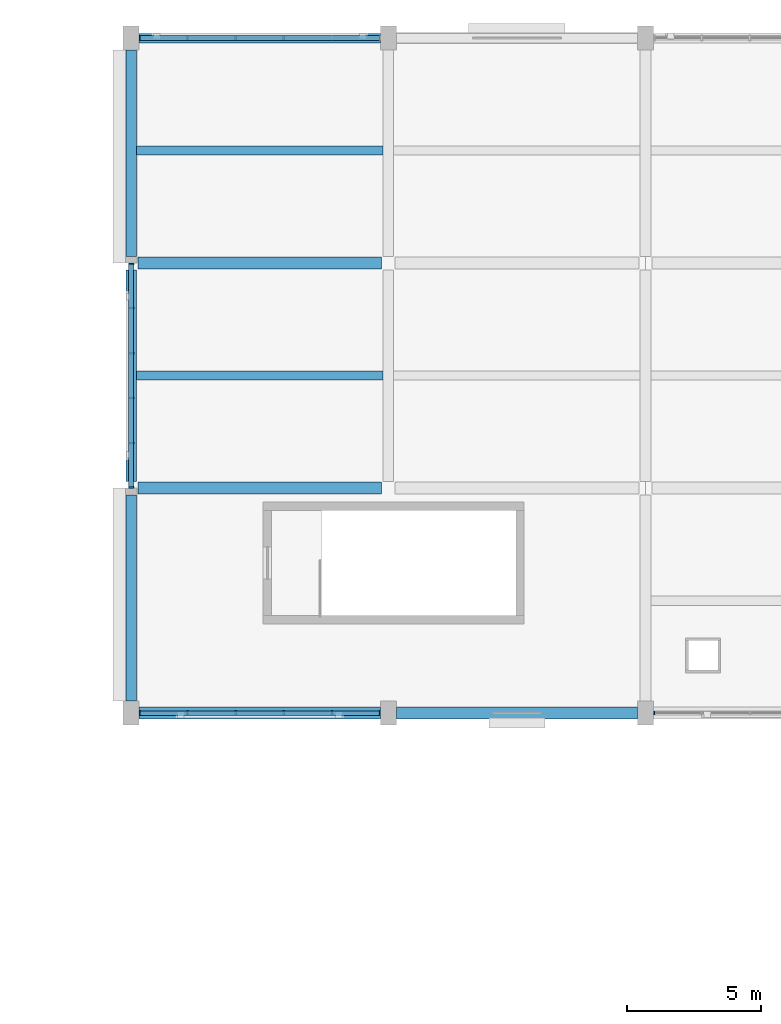
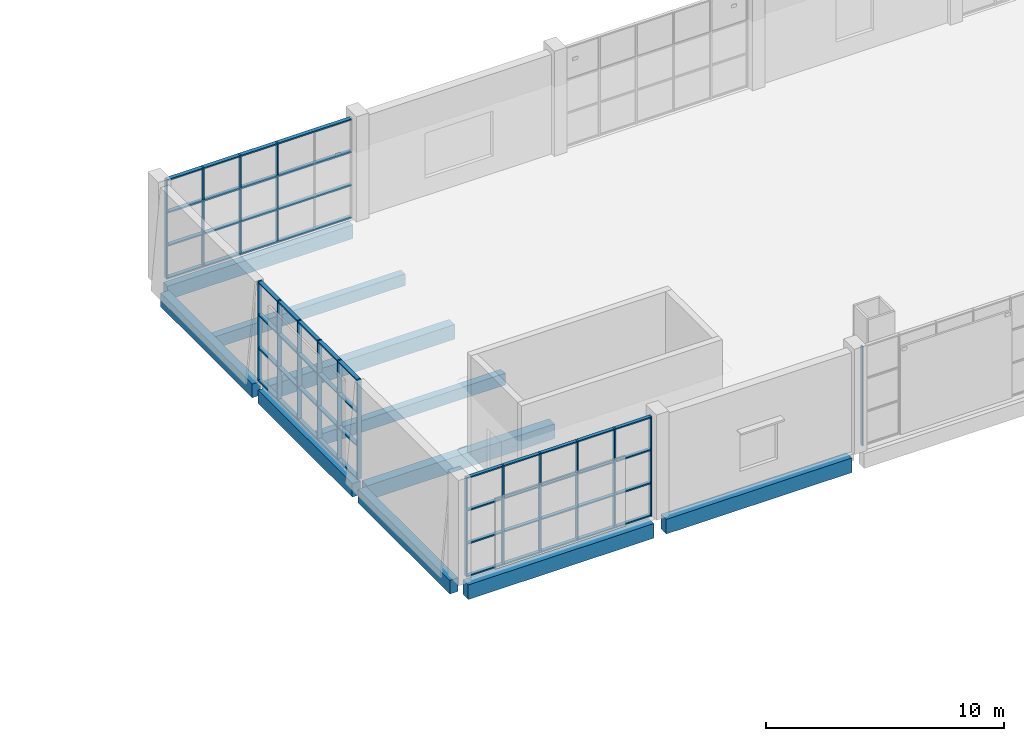
# One storey, part 16 of 57: 29 members, 10 beams, 4 elements without a shape of their own.
"""IFC4 building model written with IfcOpenShell, lengths in metres."""

from ifc_helpers import new_model, si_unit, direction, frame, origin, origin_2d, place, context, subcontext, project, spatial, rectangle, extrude, material, material_profile, profile_set, type_object, element, aggregate, save


model = new_model("IFC4")

# Units and contexts
model_context = context("Model", 3, precision=1e-05, world=origin(), true_north=direction((0.0, 1.0)))
body_context = subcontext(model_context, "Body", "Model", "MODEL_VIEW")
ifc_project = project(units=[si_unit("LENGTHUNIT", "METRE"), si_unit("AREAUNIT", "SQUARE_METRE"), si_unit("VOLUMEUNIT", "CUBIC_METRE"), si_unit("PLANEANGLEUNIT", "RADIAN"), si_unit("MASSUNIT", "GRAM", prefix="KILO")], contexts=[model_context])

# Site, building, storey
site_placement = place(None, origin())
site = spatial("IfcSite", under=ifc_project, at=site_placement, CompositionType="ELEMENT")
building_placement = place(site_placement, origin())
building = spatial("IfcBuilding", under=site, at=building_placement, Name="Shalvenor Court Art Gallery", CompositionType="ELEMENT")
storey_placement = place(building_placement, frame((0.0, 0.0, 16.800048828125)))
storey = spatial("IfcBuildingStorey", under=building, at=storey_placement, Name="L03", CompositionType="ELEMENT", Elevation=16.800048828125)

# Beams
ifc_material_1 = material(Name="Concrete C40/50", Category="concrete")
ifc_material_profile_1 = material_profile(ifc_material_1, rectangle(XDim=0.449951171875, YDim=0.75, at=origin_2d()), Name="RC 450x750")
ifc_profile_set_1 = profile_set([ifc_material_profile_1], Name="Concrete C40/50")
beam_type_1 = type_object("IfcBeamType", Name="B-04", PredefinedType="BEAM", material=ifc_profile_set_1)
for number, where, z_axis, x_axis, name in (
    (1, (57.89990234375, 97.199951171875, -0.675048828125), (1.0, 0.0, 0.0), (0.0, 1.0, 0.0), "L03 Girder BM-L03-B-04-1093"),
    (2, (67.5, 97.199951171875, -0.675048828125), (1.0, 0.0, 0.0), (0.0, 1.0, 0.0), "L03 Girder BM-L03-B-04-1094"),
):
    element("IfcBeam", number, at=place(storey_placement, frame(where, z_axis=z_axis, x_axis=x_axis)), inside=storey, type_object=beam_type_1, Name=name, PredefinedType="BEAM", context=body_context, shape_type="SweptSolid", body=[
        extrude(rectangle(XDim=0.449951171875, YDim=0.75, at=origin_2d()), origin(), (0.0, 0.0, 1.0), 9.0),
    ])
for number, where, z_axis, x_axis, name in (
    (3, (57.85009765625, 105.60009765625, -0.675048828125), (1.0, 0.0, 0.0), (0.0, 1.0, 0.0), "L03 Girder BM-L03-B-04-1107"),
    (4, (57.85009765625, 114.0, -0.675048828125), (1.0, 0.0, 0.0), (0.0, 1.0, 0.0), "L03 Girder BM-L03-B-04-1113"),
):
    element("IfcBeam", number, at=place(storey_placement, frame(where, z_axis=z_axis, x_axis=x_axis)), inside=storey, type_object=beam_type_1, Name=name, PredefinedType="BEAM", context=body_context, shape_type="SweptSolid", body=[
        extrude(rectangle(XDim=0.449951171875, YDim=0.75, at=origin_2d()), origin(), (0.0, 0.0, 1.0), 9.099853515625),
    ])
ifc_material_2 = material(Name="Concrete C40/50", Category="concrete")
ifc_material_profile_2 = material_profile(ifc_material_2, rectangle(XDim=0.39990234375, YDim=0.699951171875, at=origin_2d()), Name="RC 400x700")
ifc_profile_set_2 = profile_set([ifc_material_profile_2], Name="Concrete C40/50")
beam_type_2 = type_object("IfcBeamType", Name="B-05", PredefinedType="BEAM", material=ifc_profile_set_2)
beam_1_placement = place(storey_placement, frame((57.60009765625, 97.64990234375, -0.650146484375), z_axis=(0.0, 1.0, 0.0), x_axis=(-1.0, 0.0, 0.0)))
element("IfcBeam", 5, at=beam_1_placement, inside=storey, type_object=beam_type_2, Name="L03 Girder BM-L03-B-05-0978", PredefinedType="BEAM", context=body_context, shape_type="SweptSolid", body=[
    extrude(rectangle(XDim=0.39990234375, YDim=0.699951171875, at=origin_2d()), origin(), (0.0, 0.0, 1.0), 7.7001953125),
])
beam_2_placement = place(storey_placement, frame((57.60009765625, 105.85009765625, -0.650146484375), z_axis=(0.0, 1.0, 0.0), x_axis=(-1.0, 0.0, 0.0)))
element("IfcBeam", 6, at=beam_2_placement, inside=storey, type_object=beam_type_2, Name="L03 Girder BM-L03-B-05-0979", PredefinedType="BEAM", context=body_context, shape_type="SweptSolid", body=[
    extrude(rectangle(XDim=0.39990234375, YDim=0.699951171875, at=origin_2d()), origin(), (0.0, 0.0, 1.0), 7.89990234375),
])
beam_3_placement = place(storey_placement, frame((57.60009765625, 114.25, -0.650146484375), z_axis=(0.0, 1.0, 0.0), x_axis=(-1.0, 0.0, 0.0)))
element("IfcBeam", 7, at=beam_3_placement, inside=storey, type_object=beam_type_2, Name="L03 Girder BM-L03-B-05-0980", PredefinedType="BEAM", context=body_context, shape_type="SweptSolid", body=[
    extrude(rectangle(XDim=0.39990234375, YDim=0.699951171875, at=origin_2d()), origin(), (0.0, 0.0, 1.0), 7.699951171875),
])

# Curtain wall, members
ifc_material_3 = material(Name="Anodised aluminium and low-iron glass curtain wall", Category="aluminium")
curtain_wall_type_1 = type_object("IfcCurtainWallType", Name="CW-5x3-90-51-142", PredefinedType="USERDEFINED", material=ifc_material_3)
curtain_wall_1_placement = place(storey_placement, origin())
curtain_wall_1 = element("IfcCurtainWall", 8, at=curtain_wall_1_placement, inside=storey, type_object=curtain_wall_type_1, Name="L03 V2 Curtain Wall CW-L03-080", ObjectType="CURTAIN WALL", PredefinedType="USERDEFINED")
ifc_material_4 = material(Name="Anodised aluminium mullion", Category="aluminium")
ifc_material_profile_3 = material_profile(ifc_material_4, rectangle(XDim=0.06494140625, YDim=0.179931640625, at=origin_2d()), Name="CWM-01")
ifc_profile_set_3 = profile_set([ifc_material_profile_3], Name="Anodised aluminium mullion")
member_type_1 = type_object("IfcMemberType", Name="CWM-01", PredefinedType="MULLION", material=ifc_profile_set_3)
member_1_placement = place(storey_placement, frame((57.9326171875, 122.39990234375, 0.0), z_axis=(0.0, 0.0, 1.0), x_axis=(1.0, 0.0, 0.0)))
member_1 = element("IfcMember", 9, at=member_1_placement, type_object=member_type_1, Name="CW-5x3-90-51-142 mullion 1", PredefinedType="MULLION", context=body_context, shape_type="SweptSolid", body=[
    extrude(rectangle(XDim=0.06494140625, YDim=0.179931640625, at=origin_2d()), origin(), (0.0, 0.0, 1.0), 5.099853515625),
])
member_2_placement = place(storey_placement, frame((59.699951171875, 122.39990234375, 0.0), z_axis=(0.0, 0.0, 1.0), x_axis=(1.0, 0.0, 0.0)))
member_2 = element("IfcMember", 10, at=member_2_placement, type_object=member_type_1, Name="CW-5x3-90-51-142 mullion 2", PredefinedType="MULLION", context=body_context, shape_type="SweptSolid", body=[
    extrude(rectangle(XDim=0.06494140625, YDim=0.179931640625, at=origin_2d()), origin(), (0.0, 0.0, 1.0), 5.099853515625),
])
member_3_placement = place(storey_placement, frame((61.5, 122.39990234375, 0.0), z_axis=(0.0, 0.0, 1.0), x_axis=(1.0, 0.0, 0.0)))
member_3 = element("IfcMember", 11, at=member_3_placement, type_object=member_type_1, Name="CW-5x3-90-51-142 mullion 3", PredefinedType="MULLION", context=body_context, shape_type="SweptSolid", body=[
    extrude(rectangle(XDim=0.06494140625, YDim=0.179931640625, at=origin_2d()), origin(), (0.0, 0.0, 1.0), 5.099853515625),
])
member_4_placement = place(storey_placement, frame((63.300048828125, 122.39990234375, 0.0), z_axis=(0.0, 0.0, 1.0), x_axis=(1.0, 0.0, 0.0)))
member_4 = element("IfcMember", 12, at=member_4_placement, type_object=member_type_1, Name="CW-5x3-90-51-142 mullion 4", PredefinedType="MULLION", context=body_context, shape_type="SweptSolid", body=[
    extrude(rectangle(XDim=0.06494140625, YDim=0.179931640625, at=origin_2d()), origin(), (0.0, 0.0, 1.0), 5.099853515625),
])

ifc_material_5 = material(Name="Anodised aluminium and low-iron glass curtain wall", Category="aluminium")
curtain_wall_type_2 = type_object("IfcCurtainWallType", Name="CW-5x3-90-51-122", PredefinedType="USERDEFINED", material=ifc_material_5)
curtain_wall_2_placement = place(storey_placement, origin())
curtain_wall_2 = element("IfcCurtainWall", 13, at=curtain_wall_2_placement, inside=storey, type_object=curtain_wall_type_2, Name="L03 V2 Curtain Wall CW-L03-088", ObjectType="CURTAIN WALL", PredefinedType="USERDEFINED")
member_5_placement = place(storey_placement, frame((66.867431640625, 97.199951171875, 0.0), z_axis=(0.0, 0.0, 1.0), x_axis=(-1.0, 0.0, 0.0)))
member_5 = element("IfcMember", 14, at=member_5_placement, type_object=member_type_1, Name="CW-5x3-90-51-122 mullion 1", PredefinedType="MULLION", context=body_context, shape_type="SweptSolid", body=[
    extrude(rectangle(XDim=0.06494140625, YDim=0.179931640625, at=origin_2d()), origin(), (0.0, 0.0, 1.0), 5.099853515625),
])
member_6_placement = place(storey_placement, frame((65.10009765625, 97.199951171875, 0.0), z_axis=(0.0, 0.0, 1.0), x_axis=(-1.0, 0.0, 0.0)))
member_6 = element("IfcMember", 15, at=member_6_placement, type_object=member_type_1, Name="CW-5x3-90-51-122 mullion 2", PredefinedType="MULLION", context=body_context, shape_type="SweptSolid", body=[
    extrude(rectangle(XDim=0.06494140625, YDim=0.179931640625, at=origin_2d()), origin(), (0.0, 0.0, 1.0), 5.099853515625),
])
member_7_placement = place(storey_placement, frame((63.300048828125, 97.199951171875, 0.0), z_axis=(0.0, 0.0, 1.0), x_axis=(-1.0, 0.0, 0.0)))
member_7 = element("IfcMember", 16, at=member_7_placement, type_object=member_type_1, Name="CW-5x3-90-51-122 mullion 3", PredefinedType="MULLION", context=body_context, shape_type="SweptSolid", body=[
    extrude(rectangle(XDim=0.06494140625, YDim=0.179931640625, at=origin_2d()), origin(), (0.0, 0.0, 1.0), 5.099853515625),
])
member_8_placement = place(storey_placement, frame((61.5, 97.199951171875, 0.0), z_axis=(0.0, 0.0, 1.0), x_axis=(-1.0, 0.0, 0.0)))
member_8 = element("IfcMember", 17, at=member_8_placement, type_object=member_type_1, Name="CW-5x3-90-51-122 mullion 4", PredefinedType="MULLION", context=body_context, shape_type="SweptSolid", body=[
    extrude(rectangle(XDim=0.06494140625, YDim=0.179931640625, at=origin_2d()), origin(), (0.0, 0.0, 1.0), 5.099853515625),
])
member_9_placement = place(storey_placement, frame((59.699951171875, 97.199951171875, 0.0), z_axis=(0.0, 0.0, 1.0), x_axis=(-1.0, 0.0, 0.0)))
member_9 = element("IfcMember", 18, at=member_9_placement, type_object=member_type_1, Name="CW-5x3-90-51-122 mullion 5", PredefinedType="MULLION", context=body_context, shape_type="SweptSolid", body=[
    extrude(rectangle(XDim=0.06494140625, YDim=0.179931640625, at=origin_2d()), origin(), (0.0, 0.0, 1.0), 5.099853515625),
])
member_10_placement = place(storey_placement, frame((57.9326171875, 97.199951171875, 0.0), z_axis=(0.0, 0.0, 1.0), x_axis=(-1.0, 0.0, 0.0)))
member_10 = element("IfcMember", 19, at=member_10_placement, type_object=member_type_1, Name="CW-5x3-90-51-122 mullion 6", PredefinedType="MULLION", context=body_context, shape_type="SweptSolid", body=[
    extrude(rectangle(XDim=0.06494140625, YDim=0.179931640625, at=origin_2d()), origin(), (0.0, 0.0, 1.0), 5.099853515625),
])

ifc_material_6 = material(Name="Anodised aluminium and low-iron glass curtain wall", Category="aluminium")
curtain_wall_type_3 = type_object("IfcCurtainWallType", Name="CW-5x3-84-51-242", PredefinedType="USERDEFINED", material=ifc_material_6)
curtain_wall_3_placement = place(storey_placement, origin())
curtain_wall_3 = element("IfcCurtainWall", 20, at=curtain_wall_3_placement, inside=storey, type_object=curtain_wall_type_3, Name="L03 V2 Curtain Wall CW-L03-089", ObjectType="CURTAIN WALL", PredefinedType="USERDEFINED")
ifc_material_7 = material(Name="Anodised aluminium mullion", Category="aluminium")
ifc_material_profile_4 = material_profile(ifc_material_7, rectangle(XDim=0.070068359375, YDim=0.199951171875, at=origin_2d()), Name="CWM-02")
ifc_profile_set_4 = profile_set([ifc_material_profile_4], Name="Anodised aluminium mullion")
member_type_2 = type_object("IfcMemberType", Name="CWM-02", PredefinedType="MULLION", material=ifc_profile_set_4)
member_11_placement = place(storey_placement, frame((57.60009765625, 105.635009765625, 0.0), z_axis=(0.0, 0.0, 1.0), x_axis=(0.0, 1.0, 0.0)))
member_11 = element("IfcMember", 21, at=member_11_placement, type_object=member_type_2, Name="CW-5x3-84-51-242 mullion 1", PredefinedType="MULLION", context=body_context, shape_type="SweptSolid", body=[
    extrude(rectangle(XDim=0.070068359375, YDim=0.199951171875, at=origin_2d()), origin(), (0.0, 0.0, 1.0), 5.099853515625),
])
member_12_placement = place(storey_placement, frame((57.60009765625, 107.280029296875, 0.0), z_axis=(0.0, 0.0, 1.0), x_axis=(0.0, 1.0, 0.0)))
member_12 = element("IfcMember", 22, at=member_12_placement, type_object=member_type_2, Name="CW-5x3-84-51-242 mullion 2", PredefinedType="MULLION", context=body_context, shape_type="SweptSolid", body=[
    extrude(rectangle(XDim=0.070068359375, YDim=0.199951171875, at=origin_2d()), origin(), (0.0, 0.0, 1.0), 5.099853515625),
])
member_13_placement = place(storey_placement, frame((57.60009765625, 108.9599609375, 0.0), z_axis=(0.0, 0.0, 1.0), x_axis=(0.0, 1.0, 0.0)))
member_13 = element("IfcMember", 23, at=member_13_placement, type_object=member_type_2, Name="CW-5x3-84-51-242 mullion 3", PredefinedType="MULLION", context=body_context, shape_type="SweptSolid", body=[
    extrude(rectangle(XDim=0.070068359375, YDim=0.199951171875, at=origin_2d()), origin(), (0.0, 0.0, 1.0), 5.099853515625),
])
member_14_placement = place(storey_placement, frame((57.60009765625, 110.639892578125, 0.0), z_axis=(0.0, 0.0, 1.0), x_axis=(0.0, 1.0, 0.0)))
member_14 = element("IfcMember", 24, at=member_14_placement, type_object=member_type_2, Name="CW-5x3-84-51-242 mullion 4", PredefinedType="MULLION", context=body_context, shape_type="SweptSolid", body=[
    extrude(rectangle(XDim=0.070068359375, YDim=0.199951171875, at=origin_2d()), origin(), (0.0, 0.0, 1.0), 5.099853515625),
])
member_15_placement = place(storey_placement, frame((57.60009765625, 112.320068359375, 0.0), z_axis=(0.0, 0.0, 1.0), x_axis=(0.0, 1.0, 0.0)))
member_15 = element("IfcMember", 25, at=member_15_placement, type_object=member_type_2, Name="CW-5x3-84-51-242 mullion 5", PredefinedType="MULLION", context=body_context, shape_type="SweptSolid", body=[
    extrude(rectangle(XDim=0.070068359375, YDim=0.199951171875, at=origin_2d()), origin(), (0.0, 0.0, 1.0), 5.099853515625),
])
member_16_placement = place(storey_placement, frame((57.60009765625, 113.965087890625, 0.0), z_axis=(0.0, 0.0, 1.0), x_axis=(0.0, 1.0, 0.0)))
member_16 = element("IfcMember", 26, at=member_16_placement, type_object=member_type_2, Name="CW-5x3-84-51-242 mullion 6", PredefinedType="MULLION", context=body_context, shape_type="SweptSolid", body=[
    extrude(rectangle(XDim=0.070068359375, YDim=0.199951171875, at=origin_2d()), origin(), (0.0, 0.0, 1.0), 5.099853515625),
])

# Curtain wall, member
ifc_material_8 = material(Name="Anodised aluminium and low-iron glass curtain wall", Category="aluminium")
curtain_wall_type_4 = type_object("IfcCurtainWallType", Name="CW-5x3-90-51-612", PredefinedType="USERDEFINED", material=ifc_material_8)
curtain_wall_4_placement = place(storey_placement, origin())
curtain_wall_4 = element("IfcCurtainWall", 27, at=curtain_wall_4_placement, inside=storey, type_object=curtain_wall_type_4, Name="L03 V2 Curtain Wall CW-L03-087", ObjectType="CURTAIN WALL", PredefinedType="USERDEFINED")
ifc_material_9 = material(Name="Anodised aluminium mullion", Category="aluminium")
ifc_material_profile_5 = material_profile(ifc_material_9, rectangle(XDim=0.054931640625, YDim=0.139892578125, at=origin_2d()), Name="CWM-06")
ifc_profile_set_5 = profile_set([ifc_material_profile_5], Name="Anodised aluminium mullion")
member_type_3 = type_object("IfcMemberType", Name="CWM-06", PredefinedType="MULLION", material=ifc_profile_set_5)
member_17_placement = place(storey_placement, frame((77.12744140625, 97.199951171875, 0.0), z_axis=(0.0, 0.0, 1.0), x_axis=(-1.0, 0.0, 0.0)))
member_17 = element("IfcMember", 28, at=member_17_placement, type_object=member_type_3, Name="CW-5x3-90-51-612 mullion 6", PredefinedType="MULLION", context=body_context, shape_type="SweptSolid", body=[
    extrude(rectangle(XDim=0.054931640625, YDim=0.139892578125, at=origin_2d()), origin(), (0.0, 0.0, 1.0), 5.099853515625),
])
aggregate(curtain_wall_4, [member_17])

# Member
ifc_material_10 = material(Name="Anodised aluminium transom", Category="aluminium")
ifc_material_profile_6 = material_profile(ifc_material_10, rectangle(XDim=0.169921875, YDim=0.06494140625, at=origin_2d()), Name="CWT-02")
ifc_profile_set_6 = profile_set([ifc_material_profile_6], Name="Anodised aluminium transom")
member_type_4 = type_object("IfcMemberType", Name="CWT-02", PredefinedType="USERDEFINED", material=ifc_profile_set_6)
member_18_placement = place(storey_placement, frame((66.867431640625, 97.199951171875, 0.032470703125), z_axis=(-1.0, 0.0, 0.0), x_axis=(0.0, -1.0, 0.0)))
member_18 = element("IfcMember", 29, at=member_18_placement, type_object=member_type_4, Name="CW-5x3-90-51-122 transom 1", ObjectType="TRANSOM", PredefinedType="USERDEFINED", context=body_context, shape_type="SweptSolid", body=[
    extrude(rectangle(XDim=0.169921875, YDim=0.06494140625, at=origin_2d()), origin(), (0.0, 0.0, 1.0), 8.934814453125),
])

member_19_placement = place(storey_placement, frame((66.867431640625, 97.199951171875, 1.699951171875), z_axis=(-1.0, 0.0, 0.0), x_axis=(0.0, -1.0, 0.0)))
member_19 = element("IfcMember", 30, at=member_19_placement, type_object=member_type_4, Name="CW-5x3-90-51-122 transom 2", ObjectType="TRANSOM", PredefinedType="USERDEFINED", context=body_context, shape_type="SweptSolid", body=[
    extrude(rectangle(XDim=0.169921875, YDim=0.06494140625, at=origin_2d()), origin(), (0.0, 0.0, 1.0), 8.934814453125),
])

member_20_placement = place(storey_placement, frame((66.867431640625, 97.199951171875, 3.39990234375), z_axis=(-1.0, 0.0, 0.0), x_axis=(0.0, -1.0, 0.0)))
member_20 = element("IfcMember", 31, at=member_20_placement, type_object=member_type_4, Name="CW-5x3-90-51-122 transom 3", ObjectType="TRANSOM", PredefinedType="USERDEFINED", context=body_context, shape_type="SweptSolid", body=[
    extrude(rectangle(XDim=0.169921875, YDim=0.06494140625, at=origin_2d()), origin(), (0.0, 0.0, 1.0), 8.934814453125),
])

member_21_placement = place(storey_placement, frame((66.867431640625, 97.199951171875, 5.0673828125), z_axis=(-1.0, 0.0, 0.0), x_axis=(0.0, -1.0, 0.0)))
member_21 = element("IfcMember", 32, at=member_21_placement, type_object=member_type_4, Name="CW-5x3-90-51-122 transom 4", ObjectType="TRANSOM", PredefinedType="USERDEFINED", context=body_context, shape_type="SweptSolid", body=[
    extrude(rectangle(XDim=0.169921875, YDim=0.06494140625, at=origin_2d()), origin(), (0.0, 0.0, 1.0), 8.934814453125),
])

aggregate(curtain_wall_2, [member_5, member_6, member_7, member_8, member_9, member_10, member_18, member_19, member_20, member_21])

ifc_material_11 = material(Name="Anodised aluminium transom", Category="aluminium")
ifc_material_profile_7 = material_profile(ifc_material_11, rectangle(XDim=0.18994140625, YDim=0.070068359375, at=origin_2d()), Name="CWT-04")
ifc_profile_set_7 = profile_set([ifc_material_profile_7], Name="Anodised aluminium transom")
member_type_5 = type_object("IfcMemberType", Name="CWT-04", PredefinedType="USERDEFINED", material=ifc_profile_set_7)
member_22_placement = place(storey_placement, frame((57.9326171875, 122.39990234375, 0.034912109375), z_axis=(1.0, 0.0, 0.0), x_axis=(0.0, 1.0, 0.0)))
member_22 = element("IfcMember", 33, at=member_22_placement, type_object=member_type_5, Name="CW-5x3-90-51-142 transom 1", ObjectType="TRANSOM", PredefinedType="USERDEFINED", context=body_context, shape_type="SweptSolid", body=[
    extrude(rectangle(XDim=0.18994140625, YDim=0.070068359375, at=origin_2d()), origin(), (0.0, 0.0, 1.0), 8.934814453125),
])

member_23_placement = place(storey_placement, frame((57.9326171875, 122.39990234375, 1.699951171875), z_axis=(1.0, 0.0, 0.0), x_axis=(0.0, 1.0, 0.0)))
member_23 = element("IfcMember", 34, at=member_23_placement, type_object=member_type_5, Name="CW-5x3-90-51-142 transom 2", ObjectType="TRANSOM", PredefinedType="USERDEFINED", context=body_context, shape_type="SweptSolid", body=[
    extrude(rectangle(XDim=0.18994140625, YDim=0.070068359375, at=origin_2d()), origin(), (0.0, 0.0, 1.0), 8.934814453125),
])

member_24_placement = place(storey_placement, frame((57.9326171875, 122.39990234375, 3.39990234375), z_axis=(1.0, 0.0, 0.0), x_axis=(0.0, 1.0, 0.0)))
member_24 = element("IfcMember", 35, at=member_24_placement, type_object=member_type_5, Name="CW-5x3-90-51-142 transom 3", ObjectType="TRANSOM", PredefinedType="USERDEFINED", context=body_context, shape_type="SweptSolid", body=[
    extrude(rectangle(XDim=0.18994140625, YDim=0.070068359375, at=origin_2d()), origin(), (0.0, 0.0, 1.0), 8.934814453125),
])

member_25_placement = place(storey_placement, frame((57.9326171875, 122.39990234375, 5.06494140625), z_axis=(1.0, 0.0, 0.0), x_axis=(0.0, 1.0, 0.0)))
member_25 = element("IfcMember", 36, at=member_25_placement, type_object=member_type_5, Name="CW-5x3-90-51-142 transom 4", ObjectType="TRANSOM", PredefinedType="USERDEFINED", context=body_context, shape_type="SweptSolid", body=[
    extrude(rectangle(XDim=0.18994140625, YDim=0.070068359375, at=origin_2d()), origin(), (0.0, 0.0, 1.0), 8.934814453125),
])

aggregate(curtain_wall_1, [member_1, member_2, member_3, member_4, member_22, member_23, member_24, member_25])

member_26_placement = place(storey_placement, frame((57.60009765625, 105.635009765625, 0.034912109375), z_axis=(0.0, 1.0, 0.0), x_axis=(-1.0, 0.0, 0.0)))
member_26 = element("IfcMember", 37, at=member_26_placement, type_object=member_type_5, Name="CW-5x3-84-51-242 transom 1", ObjectType="TRANSOM", PredefinedType="USERDEFINED", context=body_context, shape_type="SweptSolid", body=[
    extrude(rectangle(XDim=0.18994140625, YDim=0.070068359375, at=origin_2d()), origin(), (0.0, 0.0, 1.0), 8.330078125),
])

member_27_placement = place(storey_placement, frame((57.60009765625, 105.635009765625, 1.699951171875), z_axis=(0.0, 1.0, 0.0), x_axis=(-1.0, 0.0, 0.0)))
member_27 = element("IfcMember", 38, at=member_27_placement, type_object=member_type_5, Name="CW-5x3-84-51-242 transom 2", ObjectType="TRANSOM", PredefinedType="USERDEFINED", context=body_context, shape_type="SweptSolid", body=[
    extrude(rectangle(XDim=0.18994140625, YDim=0.070068359375, at=origin_2d()), origin(), (0.0, 0.0, 1.0), 8.330078125),
])

member_28_placement = place(storey_placement, frame((57.60009765625, 105.635009765625, 3.39990234375), z_axis=(0.0, 1.0, 0.0), x_axis=(-1.0, 0.0, 0.0)))
member_28 = element("IfcMember", 39, at=member_28_placement, type_object=member_type_5, Name="CW-5x3-84-51-242 transom 3", ObjectType="TRANSOM", PredefinedType="USERDEFINED", context=body_context, shape_type="SweptSolid", body=[
    extrude(rectangle(XDim=0.18994140625, YDim=0.070068359375, at=origin_2d()), origin(), (0.0, 0.0, 1.0), 8.330078125),
])

member_29_placement = place(storey_placement, frame((57.60009765625, 105.635009765625, 5.06494140625), z_axis=(0.0, 1.0, 0.0), x_axis=(-1.0, 0.0, 0.0)))
member_29 = element("IfcMember", 40, at=member_29_placement, type_object=member_type_5, Name="CW-5x3-84-51-242 transom 4", ObjectType="TRANSOM", PredefinedType="USERDEFINED", context=body_context, shape_type="SweptSolid", body=[
    extrude(rectangle(XDim=0.18994140625, YDim=0.070068359375, at=origin_2d()), origin(), (0.0, 0.0, 1.0), 8.330078125),
])

aggregate(curtain_wall_3, [member_11, member_12, member_13, member_14, member_15, member_16, member_26, member_27, member_28, member_29])

# Beams
ifc_material_12 = material(Name="Concrete C40/50", Category="concrete")
ifc_material_profile_8 = material_profile(ifc_material_12, rectangle(XDim=0.35009765625, YDim=0.60009765625, at=origin_2d()), Name="RC 350x600")
ifc_profile_set_8 = profile_set([ifc_material_profile_8], Name="Concrete C40/50")
beam_type_3 = type_object("IfcBeamType", Name="J-01", PredefinedType="JOIST", material=ifc_profile_set_8)
for number, where, z_axis, x_axis, name in (
    (41, (57.800048828125, 109.800048828125, -0.60009765625), (1.0, 0.0, 0.0), (0.0, 1.0, 0.0), "L03 Secondary Beam JST-L03-J-01-1132"),
    (42, (57.800048828125, 118.199951171875, -0.60009765625), (1.0, 0.0, 0.0), (0.0, 1.0, 0.0), "L03 Secondary Beam JST-L03-J-01-1133"),
):
    element("IfcBeam", number, at=place(storey_placement, frame(where, z_axis=z_axis, x_axis=x_axis)), inside=storey, type_object=beam_type_3, Name=name, PredefinedType="JOIST", context=body_context, shape_type="SweptSolid", body=[
        extrude(rectangle(XDim=0.35009765625, YDim=0.60009765625, at=origin_2d()), origin(), (0.0, 0.0, 1.0), 9.199951171875),
    ])
ifc_material_13 = material(Name="Concrete C40/50", Category="concrete")
ifc_material_profile_9 = material_profile(ifc_material_13, rectangle(XDim=0.35009765625, YDim=0.699951171875, at=origin_2d()), Name="RC 350x700")
ifc_profile_set_9 = profile_set([ifc_material_profile_9], Name="Concrete C40/50")
beam_type_4 = type_object("IfcBeamType", Name="SP-01", PredefinedType="SPANDREL", material=ifc_profile_set_9)
beam_4_placement = place(storey_placement, frame((57.89990234375, 122.39990234375, -0.650146484375), z_axis=(1.0, 0.0, 0.0), x_axis=(0.0, 1.0, 0.0)))
element("IfcBeam", 43, at=beam_4_placement, inside=storey, type_object=beam_type_4, Name="L03 Spandrel Girder BM-L03-SP-01-1123", PredefinedType="SPANDREL", context=body_context, shape_type="SweptSolid", body=[
    extrude(rectangle(XDim=0.35009765625, YDim=0.699951171875, at=origin_2d()), origin(), (0.0, 0.0, 1.0), 9.0),
])

save(model, "model.ifc")
